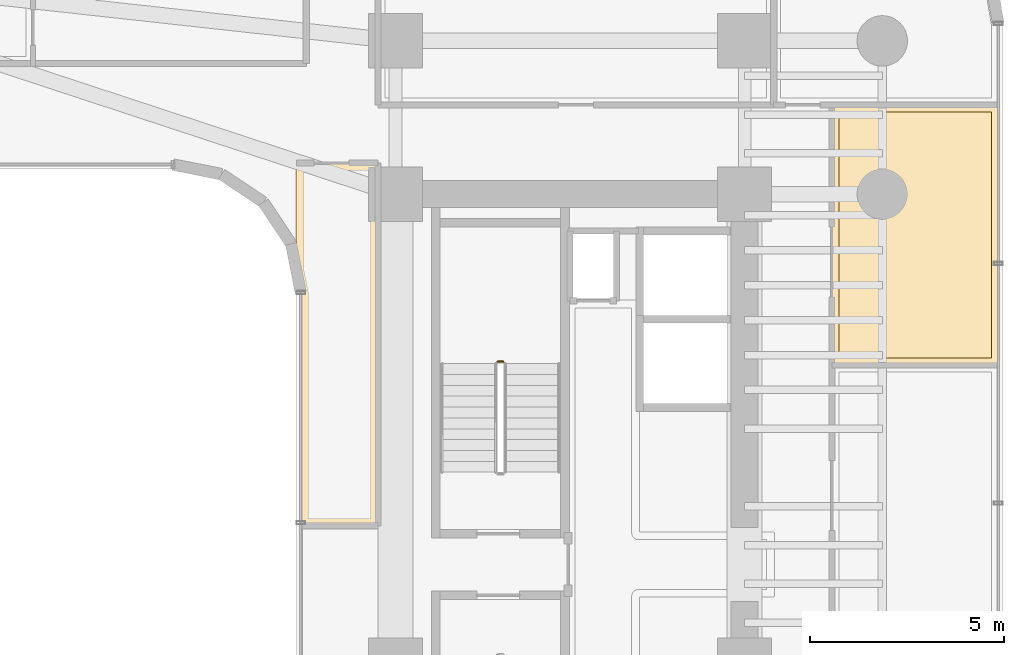
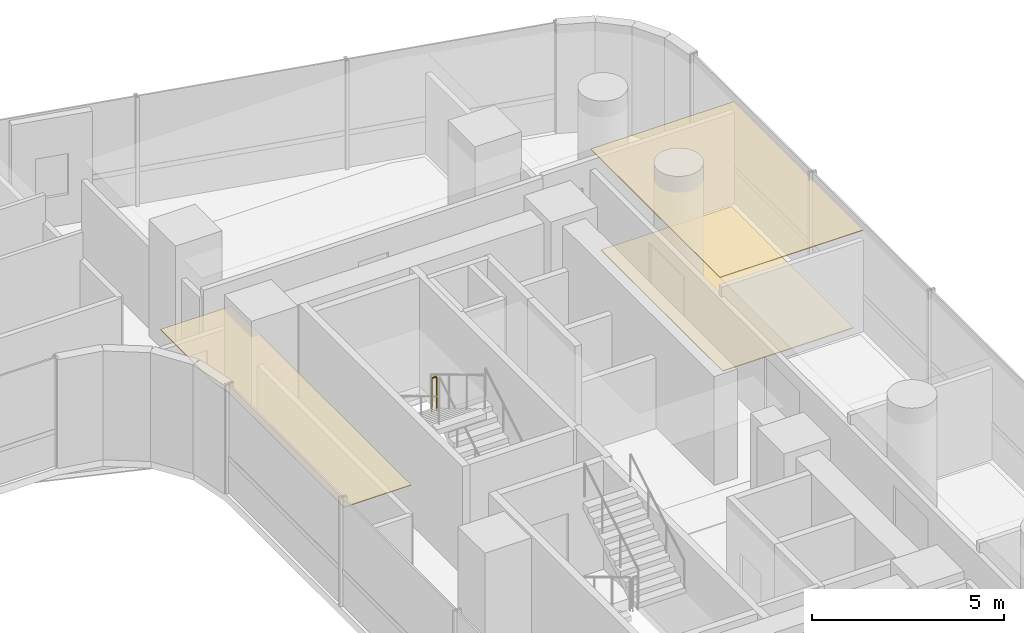
# One storey, part 40 of 41: 3 coverings, 1 railing.
"""IFC4 building model written with IfcOpenShell, lengths in metres."""

import ifcopenshell
import ifcopenshell.guid

model = None  # the IFC model being written
_history = None  # IfcOwnerHistory: only IFC2X3 demands one
_inside = {}  # id of a spatial element -> (the spatial element, [elements in it])
_under = {}  # id of a project, library or spatial element -> (it, [spatial elements below it])
_declared = {}  # id of a project -> (the project, [libraries it declares])
_typed = {}  # id of a type object -> (the type object, [elements of that type])
_made_of = {}  # id of a material, layer set ... -> (it, [elements and type objects made of it])


def new_model(schema):
    """Start an empty IFC model of exactly this schema.

    Asked for "IFC4X3", IfcOpenShell would pick the latest addendum, in which some entities
    have other attributes; the version numbers below select the first issue.
    IFC2X3 requires an IfcOwnerHistory on every rooted entity: one is made here for all.
    """
    global model, _history
    if schema == "IFC4X3":
        model = ifcopenshell.file(schema_version=(4, 3, 0, 0))
    else:
        model = ifcopenshell.file(schema=schema)
    _inside.clear()
    _under.clear()
    _declared.clear()
    _typed.clear()
    _made_of.clear()
    _history = None
    if model.schema == "IFC2X3":
        org = make("IfcOrganization", Name="unknown")
        user = make(
            "IfcPersonAndOrganization",
            ThePerson=make("IfcPerson", FamilyName="unknown"),
            TheOrganization=org,
        )
        app = make(
            "IfcApplication",
            ApplicationDeveloper=org,
            Version="unknown",
            ApplicationFullName="unknown",
            ApplicationIdentifier="unknown",
        )
        _history = make(
            "IfcOwnerHistory",
            OwningUser=user,
            OwningApplication=app,
            ChangeAction="ADDED",
            CreationDate=0,
        )
    return model


def make(cls, **values):
    """One entity of the class cls with the attributes given. An attribute that is None is left unset."""
    return model.create_entity(
        cls, **{name: value for name, value in values.items() if value is not None}
    )


def rooted(cls, **values):
    """An entity with a GlobalId (a new one), such as an element, a storey or a relation."""
    return make(cls, GlobalId=ifcopenshell.guid.new(), OwnerHistory=_history, **values)


def si_unit(unit_type, name, prefix=None):
    """IfcSIUnit, for example si_unit("LENGTHUNIT", "METRE", prefix="MILLI")."""
    return make("IfcSIUnit", UnitType=unit_type, Prefix=prefix, Name=name)


def assignment(units):
    """IfcUnitAssignment: the units of a project."""
    return None if units is None else make("IfcUnitAssignment", Units=units)


def point(xyz):
    """IfcCartesianPoint."""
    return None if xyz is None else make("IfcCartesianPoint", Coordinates=xyz)


def direction(xyz):
    """IfcDirection."""
    return None if xyz is None else make("IfcDirection", DirectionRatios=xyz)


def frame(location, z_axis=None, x_axis=None):
    """IfcAxis2Placement3D, a coordinate frame: its origin and axes. An axis left out is left unset."""
    return make(
        "IfcAxis2Placement3D",
        Location=point(location),
        Axis=direction(z_axis),
        RefDirection=direction(x_axis),
    )


def frame_2d(location, x_axis=None):
    """IfcAxis2Placement2D, a coordinate frame in the plane: its origin and x axis."""
    return make(
        "IfcAxis2Placement2D", Location=point(location), RefDirection=direction(x_axis)
    )


def origin():
    """The frame at (0, 0, 0) with its axes left unset."""
    return frame((0.0, 0.0, 0.0))


def origin_2d():
    """The frame at (0, 0) in the plane with its x axis left unset."""
    return frame_2d((0.0, 0.0))


def place(relative_to, where):
    """IfcLocalPlacement: puts the frame where relative to a parent placement (None: the world)."""
    return make(
        "IfcLocalPlacement", PlacementRelTo=relative_to, RelativePlacement=where
    )


def context(
    kind, dimensions, precision=None, world=None, true_north=None, identifier=None
):
    """IfcGeometricRepresentationContext, for example the 3D "Model" context."""
    return make(
        "IfcGeometricRepresentationContext",
        ContextIdentifier=identifier,
        ContextType=kind,
        CoordinateSpaceDimension=dimensions,
        Precision=precision,
        WorldCoordinateSystem=world,
        TrueNorth=true_north,
    )


def subcontext(parent, identifier, kind, view, scale=None):
    """IfcGeometricRepresentationSubContext, for example "Body" below "Model"."""
    return make(
        "IfcGeometricRepresentationSubContext",
        ContextIdentifier=identifier,
        ContextType=kind,
        ParentContext=parent,
        TargetScale=scale,
        TargetView=view,
    )


def project(units=None, contexts=None):
    """IfcProject with its units and contexts."""
    return rooted(
        "IfcProject",
        Name="project",
        RepresentationContexts=contexts,
        UnitsInContext=assignment(units),
    )


def spatial(cls, under=None, at=None, **own):
    """A site, building, storey or space (cls), placed at a placement, below another one or the project."""
    s = rooted(cls, ObjectPlacement=at, **own)
    if under is not None:
        _under.setdefault(under.id(), (under, []))[1].append(s)
    return s


def polyline(points):
    """IfcPolyline through the points."""
    return make("IfcPolyline", Points=[point(p) for p in points])


def profile(cls, at=None, kind="AREA", **sizes):
    """A parametric profile (cls). Its sizes go by their IFC names, for example OverallWidth=200.0."""
    return make(cls, ProfileType=kind, Position=at, **sizes)


def circle(**sizes):
    """IfcCircleProfileDef."""
    return profile("IfcCircleProfileDef", **sizes)


def outline(outer, holes=None, kind="AREA"):
    """IfcArbitraryClosedProfileDef: a profile drawn as a closed curve; with holes, ...WithVoids."""
    if holes is None:
        return make("IfcArbitraryClosedProfileDef", ProfileType=kind, OuterCurve=outer)
    return make(
        "IfcArbitraryProfileDefWithVoids",
        ProfileType=kind,
        OuterCurve=outer,
        InnerCurves=holes,
    )


def extrude(swept, where, along, depth):
    """IfcExtrudedAreaSolid: the profile swept, set in the frame where, extruded along a direction by depth."""
    return make(
        "IfcExtrudedAreaSolid",
        SweptArea=swept,
        Position=where,
        ExtrudedDirection=direction(along),
        Depth=depth,
    )


def shape(context_of_items, identifier, shape_type, items):
    """IfcShapeRepresentation: the items that make up one representation, for example the "Body"."""
    return make(
        "IfcShapeRepresentation",
        ContextOfItems=context_of_items,
        RepresentationIdentifier=identifier,
        RepresentationType=shape_type,
        Items=items,
    )


def material(Name=None, Category=None):
    """IfcMaterial."""
    return make("IfcMaterial", Name=Name, Category=Category)


def layer(
    of_material, thickness, ventilated=None, Name=None, Category=None, Priority=None
):
    """IfcMaterialLayer: one layer of a wall or slab, of a material (None: an air gap)."""
    return make(
        "IfcMaterialLayer",
        Material=of_material,
        LayerThickness=thickness,
        IsVentilated=ventilated,
        Name=Name,
        Category=Category,
        Priority=Priority,
    )


def layer_set(layers, Name=None):
    """IfcMaterialLayerSet."""
    return make("IfcMaterialLayerSet", MaterialLayers=layers, LayerSetName=Name)


def made_of(thing, what):
    """Note that an element or type object is made of a material, layer set ...; save() writes the relation."""
    if what is not None:
        _made_of.setdefault(what.id(), (what, []))[1].append(thing)
    return thing


def type_object(cls, material=None, **own):
    """A type object (cls), such as IfcWallType, which elements share."""
    return made_of(rooted(cls, **own), material)


def element(
    cls,
    number,
    at=None,
    inside=None,
    cuts=None,
    type_object=None,
    material=None,
    context=None,
    identifier="Body",
    shape_type=None,
    held_by="IfcProductDefinitionShape",
    body=None,
    shapes=None,
    **own,
):
    """One element of the class cls, such as IfcWall. Its Tag is "e" and its number.

    at: its placement. inside: the storey or other place that contains it. cuts: it is an
    opening in that element (IfcRelVoidsElement). A single representation is given by context,
    identifier, shape_type and body (its items); several are given by shapes. held_by: the class
    of the entity that holds the representations. save() writes the other relations.
    """
    e = rooted(cls, Tag="e%d" % number, ObjectPlacement=at, **own)
    if body is not None:
        shapes = [shape(context, identifier, shape_type, body)]
    if shapes is not None:
        e.Representation = make(held_by, Representations=shapes)
    if inside is not None:
        _inside.setdefault(inside.id(), (inside, []))[1].append(e)
    if cuts is not None:
        rooted(
            "IfcRelVoidsElement", RelatingBuildingElement=cuts, RelatedOpeningElement=e
        )
    if type_object is not None:
        _typed.setdefault(type_object.id(), (type_object, []))[1].append(e)
    return made_of(e, material)


def aggregate(whole, parts):
    """IfcRelAggregates: a whole, such as a stair, and the parts it consists of."""
    return rooted("IfcRelAggregates", RelatingObject=whole, RelatedObjects=parts)


def save(model, path):
    """Write the relations noted so far, then the file.

    IfcRelAggregates (storeys below a building ...), IfcRelContainedInSpatialStructure (elements
    in a storey), IfcRelDefinesByType, IfcRelAssociatesMaterial and IfcRelDeclares: one each for
    every whole, place, type object, material and project.
    """
    for whole, parts in _under.values():
        aggregate(whole, parts)
    for where, things in _inside.values():
        rooted(
            "IfcRelContainedInSpatialStructure",
            RelatedElements=things,
            RelatingStructure=where,
        )
    for kind, things in _typed.values():
        rooted("IfcRelDefinesByType", RelatedObjects=things, RelatingType=kind)
    for what, things in _made_of.values():
        rooted("IfcRelAssociatesMaterial", RelatedObjects=things, RelatingMaterial=what)
    for by, libraries in _declared.values():
        rooted("IfcRelDeclares", RelatingContext=by, RelatedDefinitions=libraries)
    model.write(path)


model = new_model("IFC4")

# Units and contexts
model_context = context("Model", 3, precision=1e-05, world=origin(), true_north=direction((0.0, 1.0)))
body_context = subcontext(model_context, "Body", "Model", "MODEL_VIEW")
ifc_project = project(units=[si_unit("LENGTHUNIT", "METRE"), si_unit("AREAUNIT", "SQUARE_METRE"), si_unit("VOLUMEUNIT", "CUBIC_METRE"), si_unit("PLANEANGLEUNIT", "RADIAN"), si_unit("MASSUNIT", "GRAM", prefix="KILO")], contexts=[model_context])

# Site, building, storey
site_placement = place(None, origin())
site = spatial("IfcSite", under=ifc_project, at=site_placement, CompositionType="ELEMENT")
building_placement = place(site_placement, origin())
building = spatial("IfcBuilding", under=site, at=building_placement, Name="Valdorenza Pilgrim Sanctuary Tower", CompositionType="ELEMENT")
storey_placement = place(building_placement, frame((0.0, 0.0, 88.89990234375)))
storey = spatial("IfcBuildingStorey", under=building, at=storey_placement, Name="L22", CompositionType="ELEMENT", Elevation=88.89990234375)

# Coverings
ifc_material_1 = material(Name="Micro-perforated acoustic mineral ceiling tile", Category="gypsum")
ifc_layer_1 = layer(ifc_material_1, 0.02490234375, Name="Micro-perforated acoustic mineral ceiling tile")
ifc_layer_set_1 = layer_set([ifc_layer_1], Name="Micro-perforated acoustic mineral ceiling tile")
covering_type_1 = type_object("IfcCoveringType", Name="COV-CLG-ACU", PredefinedType="CEILING", material=ifc_layer_set_1)
covering_1_placement = place(storey_placement, frame((0.0, 0.0, 3.16015625)))
element("IfcCovering", 1, at=covering_1_placement, inside=storey, type_object=covering_type_1, Name="L22 East Reading Lounge L22-EB4 Acoustic Ceiling", PredefinedType="CEILING", context=body_context, shape_type="SweptSolid", body=[
    extrude(outline(polyline([(27.0849609375, 11.847900390625), (27.085205078125, 11.849609375), (27.085205078125, 11.850830078125), (27.085693359375, 11.852294921875), (27.086181640625, 11.853759765625), (27.0869140625, 11.85498046875), (27.08740234375, 11.856201171875), (27.08837890625, 11.857421875), (27.08935546875, 11.858642578125), (27.090576171875, 11.859619140625), (27.091796875, 11.860595703125), (27.093017578125, 11.861083984375), (27.09423828125, 11.86181640625), (27.095703125, 11.8623046875), (27.09716796875, 11.86279296875), (27.098388671875, 11.86279296875), (27.10009765625, 11.863037109375), (31.389892578125, 11.863037109375), (31.3916015625, 11.86279296875), (31.392822265625, 11.86279296875), (31.394287109375, 11.8623046875), (31.395751953125, 11.86181640625), (31.397216796875, 11.861083984375), (31.398193359375, 11.860595703125), (31.3994140625, 11.859619140625), (31.400634765625, 11.858642578125), (31.401611328125, 11.857421875), (31.402587890625, 11.856201171875), (31.4033203125, 11.85498046875), (31.40380859375, 11.853759765625), (31.404296875, 11.852294921875), (31.40478515625, 11.850830078125), (31.40478515625, 11.849609375), (31.405029296875, 11.847900390625), (31.405029296875, 5.139404296875), (31.40478515625, 5.137939453125), (31.40478515625, 5.13671875), (31.404296875, 5.135009765625), (31.40380859375, 5.1337890625), (31.4033203125, 5.13232421875), (31.402587890625, 5.131103515625), (31.401611328125, 5.1298828125), (31.400634765625, 5.12890625), (31.3994140625, 5.1279296875), (31.398193359375, 5.126953125), (31.397216796875, 5.126220703125), (31.395751953125, 5.12548828125), (31.394287109375, 5.125), (31.392822265625, 5.124755859375), (31.3916015625, 5.12451171875), (31.389892578125, 5.12451171875), (27.10009765625, 5.12451171875), (27.098388671875, 5.12451171875), (27.09716796875, 5.124755859375), (27.095703125, 5.125), (27.09423828125, 5.12548828125), (27.093017578125, 5.126220703125), (27.091796875, 5.126953125), (27.090576171875, 5.1279296875), (27.08935546875, 5.12890625), (27.08837890625, 5.1298828125), (27.08740234375, 5.131103515625), (27.0869140625, 5.13232421875), (27.086181640625, 5.1337890625), (27.085693359375, 5.135009765625), (27.085205078125, 5.13671875), (27.085205078125, 5.137939453125), (27.0849609375, 5.139404296875), (27.0849609375, 11.847900390625)])), origin(), (0.0, 0.0, 1.0), 0.02490234375),
])
covering_2_placement = place(storey_placement, frame((0.0, 0.0, 3.16015625)))
element("IfcCovering", 2, at=covering_2_placement, inside=storey, type_object=covering_type_1, Name="L22 Courtyard Overlook Salon L22 Acoustic Ceiling", PredefinedType="CEILING", context=body_context, shape_type="SweptSolid", body=[
    extrude(outline(polyline([(15.39990234375, 10.364990234375), (15.401611328125, 10.364990234375), (15.40283203125, 10.36474609375), (15.404296875, 10.364501953125), (15.40576171875, 10.364013671875), (15.406982421875, 10.36328125), (15.408203125, 10.362548828125), (15.409423828125, 10.361572265625), (15.41064453125, 10.360595703125), (15.41162109375, 10.359619140625), (15.41259765625, 10.3583984375), (15.4130859375, 10.357177734375), (15.413818359375, 10.355712890625), (15.414306640625, 10.3544921875), (15.414794921875, 10.352783203125), (15.414794921875, 10.3515625), (15.4150390625, 10.35009765625), (15.4150390625, 1.0), (15.414794921875, 0.99853515625), (15.414794921875, 0.9970703125), (15.414306640625, 0.99560546875), (15.413818359375, 0.994384765625), (15.4130859375, 0.992919921875), (15.41259765625, 0.99169921875), (15.41162109375, 0.990478515625), (15.41064453125, 0.989501953125), (15.409423828125, 0.98828125), (15.408203125, 0.987548828125), (15.406982421875, 0.98681640625), (15.40576171875, 0.986083984375), (15.404296875, 0.985595703125), (15.40283203125, 0.9853515625), (15.401611328125, 0.985107421875), (15.39990234375, 0.985107421875), (13.409912109375, 0.985107421875), (13.408447265625, 0.985107421875), (13.406982421875, 0.9853515625), (13.405517578125, 0.985595703125), (13.404296875, 0.986083984375), (13.40283203125, 0.98681640625), (13.401611328125, 0.987548828125), (13.400390625, 0.98828125), (13.3994140625, 0.989501953125), (13.3984375, 0.990478515625), (13.3974609375, 0.99169921875), (13.396728515625, 0.992919921875), (13.39599609375, 0.994384765625), (13.3955078125, 0.99560546875), (13.395263671875, 0.9970703125), (13.39501953125, 0.99853515625), (13.39501953125, 1.0), (13.39501953125, 6.99951171875), (13.39453125, 7.00927734375), (13.39306640625, 7.018798828125), (13.285400390625, 7.560791015625), (13.28515625, 7.562255859375), (13.284912109375, 7.563720703125), (13.284912109375, 10.35009765625), (13.28515625, 10.3515625), (13.285400390625, 10.352783203125), (13.28564453125, 10.3544921875), (13.2861328125, 10.355712890625), (13.286865234375, 10.357177734375), (13.28759765625, 10.3583984375), (13.288330078125, 10.359619140625), (13.289306640625, 10.360595703125), (13.29052734375, 10.361572265625), (13.291748046875, 10.362548828125), (13.29296875, 10.36328125), (13.294189453125, 10.364013671875), (13.295654296875, 10.364501953125), (13.297119140625, 10.36474609375), (13.298583984375, 10.364990234375), (13.300048828125, 10.364990234375), (15.39990234375, 10.364990234375)])), origin(), (0.0, 0.0, 1.0), 0.02490234375),
])
ifc_material_2 = material(Name="Honed travertine stone flooring", Category="masonry")
ifc_layer_2 = layer(ifc_material_2, 0.030029296875, Name="Honed travertine stone flooring")
ifc_layer_set_2 = layer_set([ifc_layer_2], Name="Honed travertine stone flooring")
covering_type_2 = type_object("IfcCoveringType", Name="COV-FLR-TRV", PredefinedType="FLOORING", material=ifc_layer_set_2)
covering_3_placement = place(storey_placement, origin())
element("IfcCovering", 3, at=covering_3_placement, inside=storey, type_object=covering_type_2, Name="L22 East Reading Lounge L22-EB4 Flooring", PredefinedType="FLOORING", context=body_context, shape_type="SweptSolid", body=[
    extrude(outline(polyline([(27.280029296875, 11.66796875), (31.2099609375, 11.66796875), (31.2099609375, 5.319580078125), (27.280029296875, 5.319580078125), (27.280029296875, 11.66796875)])), origin(), (0.0, 0.0, 1.0), 0.025146484375),
])

# Railing
ifc_material_3 = material(Name="Stainless steel Grade 316", Category="steel")
railing_type = type_object("IfcRailingType", Name="RLG-GRD-1120", PredefinedType="GUARDRAIL", material=ifc_material_3)
railing_placement = place(storey_placement, frame((18.6298828125, 5.22998046875, 1.85009765625)))
element("IfcRailing", 4, at=railing_placement, inside=storey, type_object=railing_type, Name="L22 ST-B1 stair guard 2", PredefinedType="GUARDRAIL", context=body_context, shape_type="SweptSolid", body=[
    extrude(circle(Radius=0.02392578125, at=origin_2d()), frame((0.0, 0.0, 1.076171875), z_axis=(-1.0, 0.0, 0.0), x_axis=(0.0, -1.0, 0.0)), (0.0, 0.0, 1.0), 0.14990234375),
    extrude(circle(Radius=0.02099609375, at=origin_2d()), origin(), (0.0, 0.0, 1.0), 1.052001953125),
    extrude(circle(Radius=0.02099609375, at=origin_2d()), frame((-0.14990234375, 0.0, 0.0)), (0.0, 0.0, 1.0), 1.052001953125),
])

save(model, "model.ifc")
